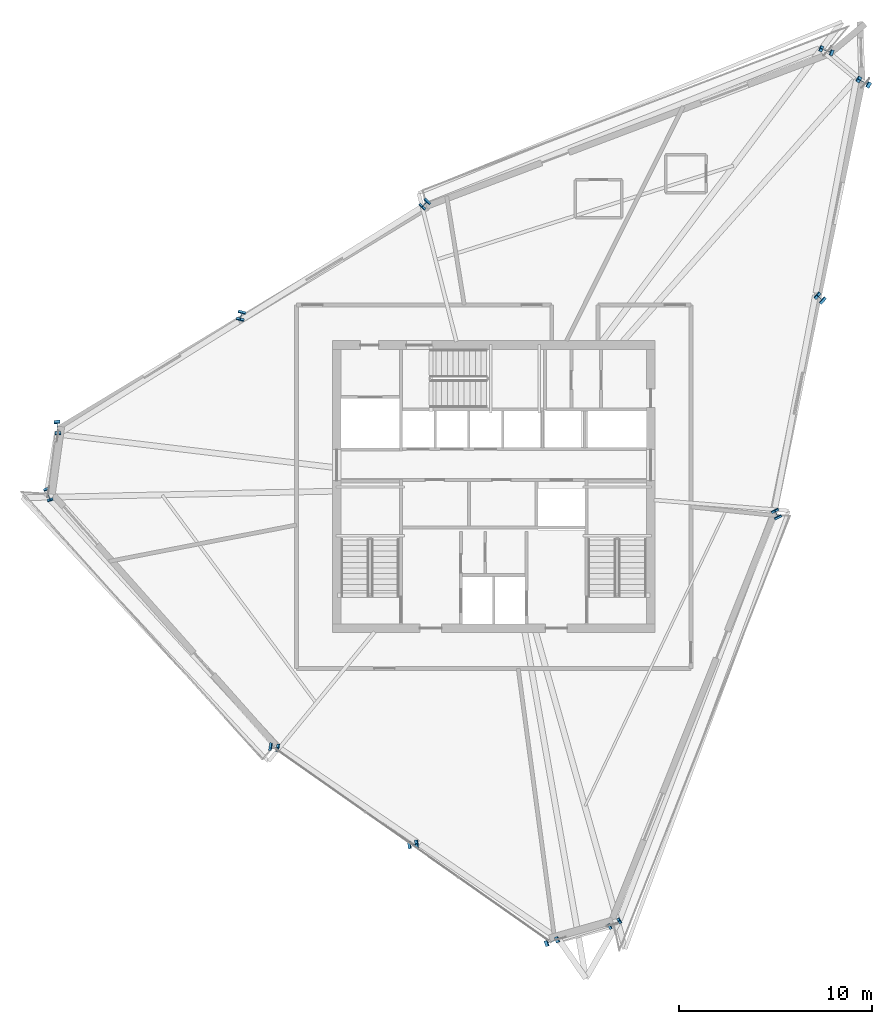
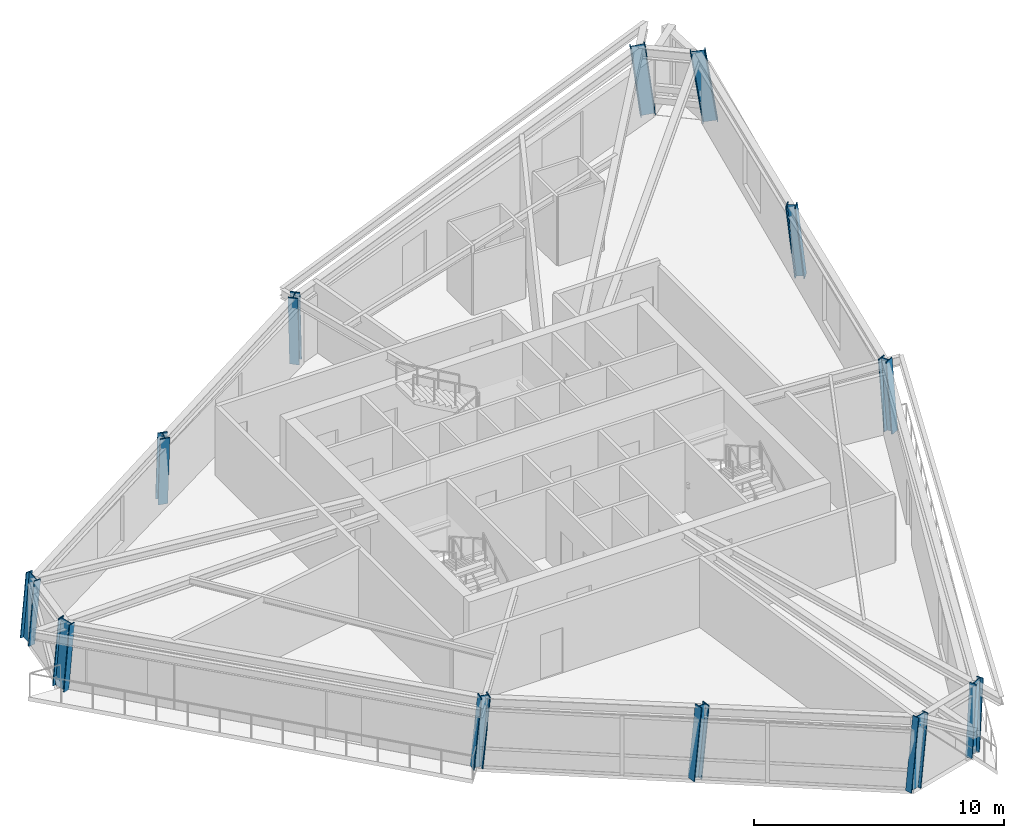
# One storey, part 1 of 13: 12 columns.
"""IFC4 building model written with IfcOpenShell, lengths in metres."""

from ifc_helpers import new_model, si_unit, direction, frame, origin, origin_2d, place, context, subcontext, project, spatial, i_section, extrude, source, transform, mapped, material, material_profile, profile_set, type_object, element, save


model = new_model("IFC4")

# Units and contexts
model_context = context("Model", 3, precision=1e-05, world=origin(), true_north=direction((0.0, 1.0)))
body_context = subcontext(model_context, "Body", "Model", "MODEL_VIEW")
ifc_project = project(units=[si_unit("LENGTHUNIT", "METRE"), si_unit("AREAUNIT", "SQUARE_METRE"), si_unit("VOLUMEUNIT", "CUBIC_METRE"), si_unit("PLANEANGLEUNIT", "RADIAN"), si_unit("MASSUNIT", "GRAM", prefix="KILO")], contexts=[model_context])

# Site, building, storey
site_placement = place(None, origin())
site = spatial("IfcSite", under=ifc_project, at=site_placement, CompositionType="ELEMENT")
building_placement = place(site_placement, origin())
building = spatial("IfcBuilding", under=site, at=building_placement, Name="Olszyna Solenne Hotel", CompositionType="ELEMENT")
storey_placement = place(building_placement, frame((0.0, 0.0, 238.10009765625)))
storey = spatial("IfcBuildingStorey", under=building, at=storey_placement, Name="L63", CompositionType="ELEMENT", Elevation=238.10009765625)

# Columns
ifc_material = material(Name="Steel S460M", Category="steel")
ifc_material_profile_1 = material_profile(ifc_material, i_section(OverallWidth=0.304931640625, OverallDepth=0.6201171875, WebThickness=0.02099609375, FlangeThickness=0.0400390625, at=origin_2d()), Name="HEM 600", Category="load-bearing")
ifc_profile_set_1 = profile_set([ifc_material_profile_1], Name="Steel S460M")
column_type_1 = type_object("IfcColumnType", Name="COL-K3", PredefinedType="COLUMN", material=ifc_profile_set_1)
shared_shape_1 = source(origin(), body_context, "Body", "SweptSolid", [
    extrude(i_section(OverallWidth=0.304931640625, OverallDepth=0.6201171875, WebThickness=0.02099609375, FlangeThickness=0.0400390625, at=origin_2d()), origin(), (0.0, 0.0, 1.0), 3.46044921875),
])
column_1_placement = place(storey_placement, frame((15.426513671875, 29.732666015625, 0.0), z_axis=(0.008113323783, -0.121347103541, 0.992576976581), x_axis=(0.99777230521, 0.066711520407, 0.0)))
element("IfcColumn", 1, at=column_1_placement, inside=storey, type_object=column_type_1, Name="Perimeter framed-tube column COL-K3 C-L63-05", PredefinedType="COLUMN", context=body_context, shape_type="MappedRepresentation", body=[
    mapped(shared_shape_1, transform((0.0, 0.0, 0.0), x_axis=(1.0, 0.0, 0.0), y_axis=(0.0, 1.0, 0.0), z_axis=(0.0, 0.0, 1.0), scale=1.0)),
])
ifc_material_profile_2 = material_profile(ifc_material, i_section(OverallWidth=0.406005859375, OverallDepth=0.416015625, WebThickness=0.026611328125, FlangeThickness=0.04150390625, at=origin_2d()), Name="HD 400x382", Category="load-bearing")
ifc_profile_set_2 = profile_set([ifc_material_profile_2], Name="Steel S460M")
column_type_2 = type_object("IfcColumnType", Name="COL-T4", PredefinedType="COLUMN", material=ifc_profile_set_2)
shared_shape_2 = source(origin(), body_context, "Body", "SweptSolid", [
    extrude(i_section(OverallWidth=0.406005859375, OverallDepth=0.416015625, WebThickness=0.026611328125, FlangeThickness=0.04150390625, at=origin_2d()), origin(), (0.0, 0.0, 1.0), 3.44580078125),
])
column_2_placement = place(storey_placement, frame((52.650390625, 25.14501953125, 0.0), z_axis=(-0.034574881015, 0.072196319169, 0.996790985664), x_axis=(-0.90190942195, -0.431925218755, 0.0)))
element("IfcColumn", 2, at=column_2_placement, inside=storey, type_object=column_type_2, Name="Perimeter framed-tube column COL-T4 C-L63-11", PredefinedType="COLUMN", context=body_context, shape_type="MappedRepresentation", body=[
    mapped(shared_shape_2, transform((0.0, 0.0, 0.0), x_axis=(1.0, 0.0, 0.0), y_axis=(0.0, 1.0, 0.0), z_axis=(0.0, 0.0, 1.0), scale=1.0)),
])
shared_shape_3 = source(origin(), body_context, "Body", "SweptSolid", [
    extrude(i_section(OverallWidth=0.406005859375, OverallDepth=0.416015625, WebThickness=0.026611328125, FlangeThickness=0.04150390625, at=origin_2d()), origin(), (0.0, 0.0, 1.0), 3.44970703125),
])
column_3_placement = place(storey_placement, frame((26.58935546875, 13.131103515625, 0.0), z_axis=(0.091929151613, -0.015073833174, 0.995651450377), x_axis=(0.161811410383, 0.986821699939, 0.0)))
element("IfcColumn", 3, at=column_3_placement, inside=storey, type_object=column_type_2, Name="Perimeter framed-tube column COL-T4 C-L63-07", PredefinedType="COLUMN", context=body_context, shape_type="MappedRepresentation", body=[
    mapped(shared_shape_3, transform((0.0, 0.0, 0.0), x_axis=(1.0, 0.0, 0.0), y_axis=(0.0, 1.0, 0.0), z_axis=(0.0, 0.0, 1.0), scale=1.0)),
])
shared_shape_4 = source(origin(), body_context, "Body", "SweptSolid", [
    extrude(i_section(OverallWidth=0.304931640625, OverallDepth=0.6201171875, WebThickness=0.02099609375, FlangeThickness=0.0400390625, at=origin_2d()), origin(), (0.0, 0.0, 1.0), 3.47119140625),
])
column_4_placement = place(storey_placement, frame((57.2158203125, 47.4833984375, 0.0), z_axis=(-0.126666375705, 0.069768486785, 0.989488750577), x_axis=(-0.482460084866, -0.875917956495, 0.0)))
element("IfcColumn", 4, at=column_4_placement, inside=storey, type_object=column_type_1, Name="Perimeter framed-tube column COL-K3 C-L63-01", PredefinedType="COLUMN", context=body_context, shape_type="MappedRepresentation", body=[
    mapped(shared_shape_4, transform((0.0, 0.0, 0.0), x_axis=(1.0, 0.0, 0.0), y_axis=(0.0, 1.0, 0.0), z_axis=(0.0, 0.0, 1.0), scale=1.0)),
])
shared_shape_5 = source(origin(), body_context, "Body", "SweptSolid", [
    extrude(i_section(OverallWidth=0.304931640625, OverallDepth=0.6201171875, WebThickness=0.02099609375, FlangeThickness=0.0400390625, at=origin_2d()), origin(), (0.0, 0.0, 1.0), 3.4599609375),
])
column_5_placement = place(storey_placement, frame((55.2783203125, 49.12939453125, 0.0), z_axis=(-0.112543477187, 0.043112266183, 0.992711084983), x_axis=(-0.357723309734, -0.933827625246, 0.0)))
element("IfcColumn", 5, at=column_5_placement, inside=storey, type_object=column_type_1, Name="Perimeter framed-tube column COL-K3 C-L63-02", PredefinedType="COLUMN", context=body_context, shape_type="MappedRepresentation", body=[
    mapped(shared_shape_5, transform((0.0, 0.0, 0.0), x_axis=(1.0, 0.0, 0.0), y_axis=(0.0, 1.0, 0.0), z_axis=(0.0, 0.0, 1.0), scale=1.0)),
])
shared_shape_6 = source(origin(), body_context, "Body", "SweptSolid", [
    extrude(i_section(OverallWidth=0.406005859375, OverallDepth=0.416015625, WebThickness=0.026611328125, FlangeThickness=0.04150390625, at=origin_2d()), origin(), (0.0, 0.0, 1.0), 3.4453125),
])
column_6_placement = place(storey_placement, frame((34.46533203125, 41.25341796875, 0.0), z_axis=(-0.054066700831, -0.05647596404, 0.99693894364), x_axis=(0.722346539957, -0.691531254689, 0.0)))
element("IfcColumn", 6, at=column_6_placement, inside=storey, type_object=column_type_2, Name="Perimeter framed-tube column COL-T4 C-L63-03", PredefinedType="COLUMN", context=body_context, shape_type="MappedRepresentation", body=[
    mapped(shared_shape_6, transform((0.0, 0.0, 0.0), x_axis=(1.0, 0.0, 0.0), y_axis=(0.0, 1.0, 0.0), z_axis=(0.0, 0.0, 1.0), scale=1.0)),
])
shared_shape_7 = source(origin(), body_context, "Body", "SweptSolid", [
    extrude(i_section(OverallWidth=0.406005859375, OverallDepth=0.416015625, WebThickness=0.026611328125, FlangeThickness=0.04150390625, at=origin_2d()), origin(), (0.0, 0.0, 1.0), 3.449462890625),
])
column_7_placement = place(storey_placement, frame((24.946044921875, 35.4931640625, 0.0), z_axis=(-0.02300240326, -0.089107771396, 0.995756342948), x_axis=(0.968259313699, -0.24994779742, 0.0)))
element("IfcColumn", 7, at=column_7_placement, inside=storey, type_object=column_type_2, Name="Perimeter framed-tube column COL-T4 C-L63-04", PredefinedType="COLUMN", context=body_context, shape_type="MappedRepresentation", body=[
    mapped(shared_shape_7, transform((0.0, 0.0, 0.0), x_axis=(1.0, 0.0, 0.0), y_axis=(0.0, 1.0, 0.0), z_axis=(0.0, 0.0, 1.0), scale=1.0)),
])
shared_shape_8 = source(origin(), body_context, "Body", "SweptSolid", [
    extrude(i_section(OverallWidth=0.304931640625, OverallDepth=0.6201171875, WebThickness=0.02099609375, FlangeThickness=0.0400390625, at=origin_2d()), origin(), (0.0, 0.0, 1.0), 3.44873046875),
])
column_8_placement = place(storey_placement, frame((14.9423828125, 26.242431640625, 0.0), z_axis=(0.028883824761, -0.084598457326, 0.99599639843), x_axis=(0.946361669056, 0.323109256046, 0.0)))
element("IfcColumn", 8, at=column_8_placement, inside=storey, type_object=column_type_1, Name="Perimeter framed-tube column COL-K3 C-L63-06", PredefinedType="COLUMN", context=body_context, shape_type="MappedRepresentation", body=[
    mapped(shared_shape_8, transform((0.0, 0.0, 0.0), x_axis=(1.0, 0.0, 0.0), y_axis=(0.0, 1.0, 0.0), z_axis=(0.0, 0.0, 1.0), scale=1.0)),
])
shared_shape_9 = source(origin(), body_context, "Body", "SweptSolid", [
    extrude(i_section(OverallWidth=0.406005859375, OverallDepth=0.416015625, WebThickness=0.026611328125, FlangeThickness=0.04150390625, at=origin_2d()), origin(), (0.0, 0.0, 1.0), 3.455078125),
])
column_9_placement = place(storey_placement, frame((33.762451171875, 8.08740234375, 0.0), z_axis=(0.106843472903, 0.014698043891, 0.994167209177), x_axis=(-0.136282644933, 0.990669995856, 0.0)))
element("IfcColumn", 9, at=column_9_placement, inside=storey, type_object=column_type_2, Name="Perimeter framed-tube column COL-T4 C-L63-08", PredefinedType="COLUMN", context=body_context, shape_type="MappedRepresentation", body=[
    mapped(shared_shape_9, transform((0.0, 0.0, 0.0), x_axis=(1.0, 0.0, 0.0), y_axis=(0.0, 1.0, 0.0), z_axis=(0.0, 0.0, 1.0), scale=1.0)),
])
shared_shape_10 = source(origin(), body_context, "Body", "SweptSolid", [
    extrude(i_section(OverallWidth=0.304931640625, OverallDepth=0.6201171875, WebThickness=0.02099609375, FlangeThickness=0.0400390625, at=origin_2d()), origin(), (0.0, 0.0, 1.0), 3.4638671875),
])
column_10_placement = place(storey_placement, frame((40.935546875, 3.0439453125, 0.0), z_axis=(0.121578996156, 0.044332283236, 0.991591244595), x_axis=(-0.342573792128, 0.939490924356, 0.0)))
element("IfcColumn", 10, at=column_10_placement, inside=storey, type_object=column_type_1, Name="Perimeter framed-tube column COL-K3 C-L63-09", PredefinedType="COLUMN", context=body_context, shape_type="MappedRepresentation", body=[
    mapped(shared_shape_10, transform((0.0, 0.0, 0.0), x_axis=(1.0, 0.0, 0.0), y_axis=(0.0, 1.0, 0.0), z_axis=(0.0, 0.0, 1.0), scale=1.0)),
])
shared_shape_11 = source(origin(), body_context, "Body", "SweptSolid", [
    extrude(i_section(OverallWidth=0.304931640625, OverallDepth=0.6201171875, WebThickness=0.02099609375, FlangeThickness=0.0400390625, at=origin_2d()), origin(), (0.0, 0.0, 1.0), 3.4501953125),
])
column_11_placement = place(storey_placement, frame((44.201416015625, 3.968017578125, 0.0), z_axis=(0.081302520887, 0.048399411912, 0.995513634776), x_axis=(-0.511523301664, 0.859269405865, 0.0)))
element("IfcColumn", 11, at=column_11_placement, inside=storey, type_object=column_type_1, Name="Perimeter framed-tube column COL-K3 C-L63-10", PredefinedType="COLUMN", context=body_context, shape_type="MappedRepresentation", body=[
    mapped(shared_shape_11, transform((0.0, 0.0, 0.0), x_axis=(1.0, 0.0, 0.0), y_axis=(0.0, 1.0, 0.0), z_axis=(0.0, 0.0, 1.0), scale=1.0)),
])
shared_shape_12 = source(origin(), body_context, "Body", "SweptSolid", [
    extrude(i_section(OverallWidth=0.406005859375, OverallDepth=0.416015625, WebThickness=0.026611328125, FlangeThickness=0.04150390625, at=origin_2d()), origin(), (0.0, 0.0, 1.0), 3.454833984375),
])
column_12_placement = place(storey_placement, frame((54.93310546875, 36.314208984375, 0.0), z_axis=(-0.080911187238, 0.071088781101, 0.994182963534), x_axis=(-0.660036076153, -0.751233903772, 0.0)))
element("IfcColumn", 12, at=column_12_placement, inside=storey, type_object=column_type_2, Name="Perimeter framed-tube column COL-T4 C-L63-12", PredefinedType="COLUMN", context=body_context, shape_type="MappedRepresentation", body=[
    mapped(shared_shape_12, transform((0.0, 0.0, 0.0), x_axis=(1.0, 0.0, 0.0), y_axis=(0.0, 1.0, 0.0), z_axis=(0.0, 0.0, 1.0), scale=1.0)),
])

save(model, "model.ifc")
